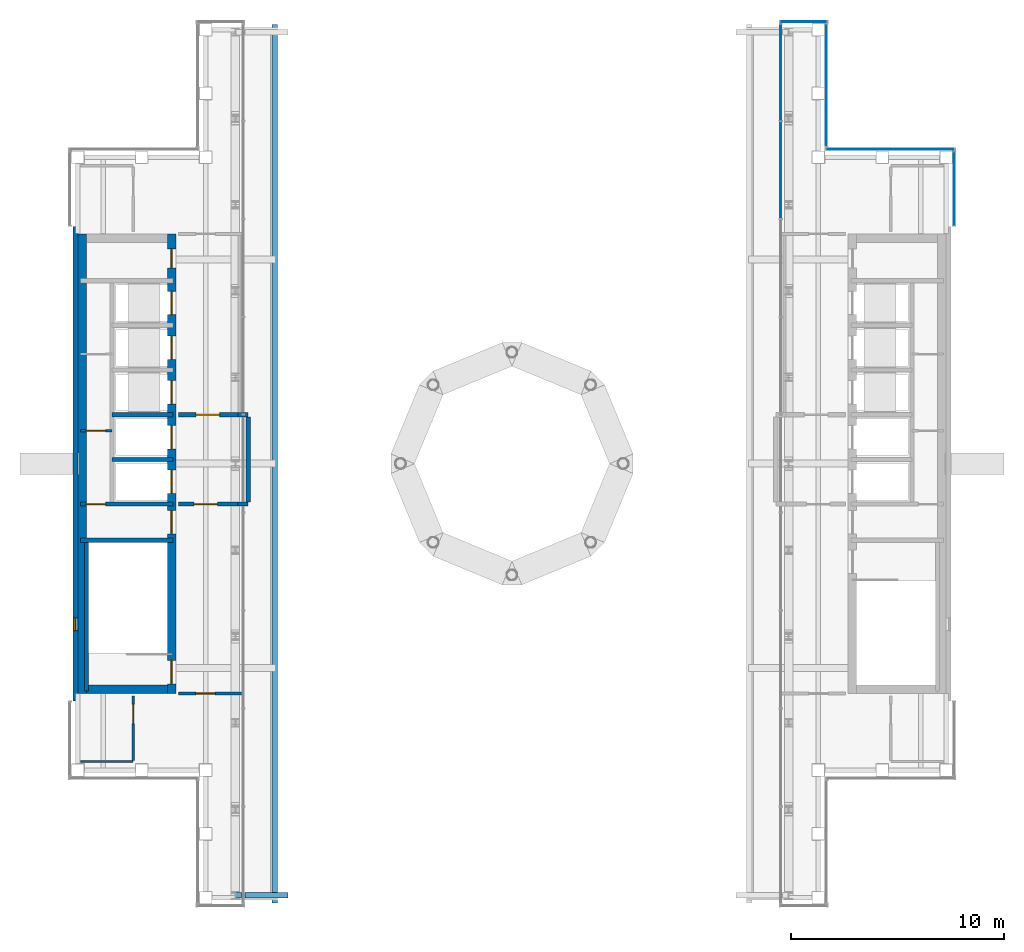
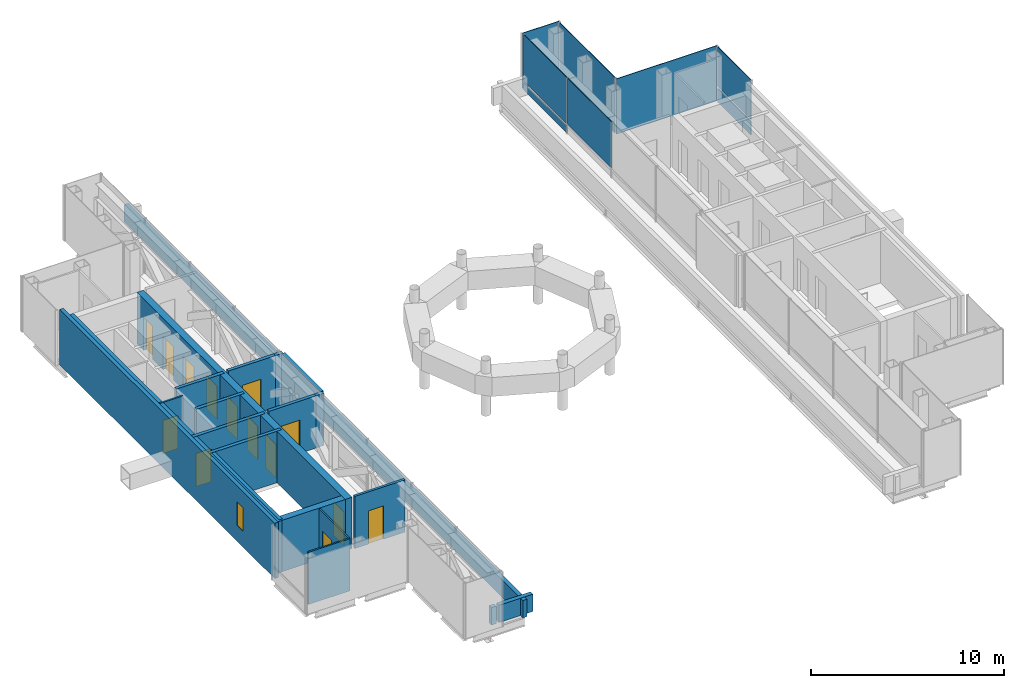
# One storey, part 12 of 16: 21 walls, 14 doors, 8 plates, 1 window, 15 openings, 5 elements without a shape of their own.
"""IFC4 building model written with IfcOpenShell, lengths in metres."""

from ifc_helpers import new_model, si_unit, direction, frame, frame_2d, origin, origin_2d, place, context, subcontext, project, spatial, rectangle, extrude, material, layer, layer_set, type_object, element, fill, aggregate, save


model = new_model("IFC4")

# Units and contexts
model_context = context("Model", 3, precision=1e-05, world=origin(), true_north=direction((0.0, 1.0)))
body_context = subcontext(model_context, "Body", "Model", "MODEL_VIEW")
ifc_project = project(units=[si_unit("LENGTHUNIT", "METRE"), si_unit("AREAUNIT", "SQUARE_METRE"), si_unit("VOLUMEUNIT", "CUBIC_METRE"), si_unit("PLANEANGLEUNIT", "RADIAN"), si_unit("MASSUNIT", "GRAM", prefix="KILO")], contexts=[model_context])

# Site, building, storey
site_placement = place(None, origin())
site = spatial("IfcSite", under=ifc_project, at=site_placement, CompositionType="ELEMENT")
building_placement = place(site_placement, origin())
building = spatial("IfcBuilding", under=site, at=building_placement, Name="Cobrizo Arcos Hotel Tower", CompositionType="ELEMENT")
storey_placement = place(building_placement, frame((0.0, 0.0, 286.5)))
storey = spatial("IfcBuildingStorey", under=building, at=storey_placement, Name="L76", CompositionType="ELEMENT", Elevation=286.5)

# Curtain wall, plate
ifc_material_1 = material(Name="Aluminium 6063-T6 anodised bronze", Category="aluminium")
curtain_wall_type_1 = type_object("IfcCurtainWallType", Name="CW-A guest facade", PredefinedType="NOTDEFINED", material=ifc_material_1)
curtain_wall_1_placement = place(storey_placement, origin())
curtain_wall_1 = element("IfcCurtainWall", 1, at=curtain_wall_1_placement, inside=storey, type_object=curtain_wall_type_1, Name="CW-A L76 E face", PredefinedType="NOTDEFINED")
ifc_material_2 = material(Name="Glass clear laminated low-e", Category="glass")
ifc_layer_1 = layer(ifc_material_2, 0.0400390625)
ifc_layer_set_1 = layer_set([ifc_layer_1], Name="CW-A glass panel")
plate_type_1 = type_object("IfcPlateType", Name="CW-A glass panel", PredefinedType="CURTAIN_PANEL", material=ifc_layer_set_1)
plate_1_placement = place(storey_placement, frame((20.77490234375, 12.925048828125, 0.990234375), z_axis=(0.0, 0.0, 1.0), x_axis=(0.0, 1.0, 0.0)))
plate_1 = element("IfcPlate", 2, at=plate_1_placement, type_object=plate_type_1, Name="CW-A glass panel 2406", PredefinedType="CURTAIN_PANEL", context=body_context, shape_type="SweptSolid", body=[
    extrude(rectangle(XDim=3.429931640625, YDim=0.0400390625, at=origin_2d()), origin(), (0.0, 0.0, 1.0), 2.510009765625),
])

curtain_wall_2_placement = place(storey_placement, origin())
curtain_wall_2 = element("IfcCurtainWall", 3, at=curtain_wall_2_placement, inside=storey, type_object=curtain_wall_type_1, Name="CW-A L76 N face", PredefinedType="NOTDEFINED")
ifc_material_3 = material(Name="Aluminium composite panel pale metal", Category="aluminium")
ifc_layer_2 = layer(ifc_material_3, 0.0400390625)
ifc_layer_set_2 = layer_set([ifc_layer_2], Name="CW-A spandrel panel")
plate_type_2 = type_object("IfcPlateType", Name="CW-A spandrel panel", PredefinedType="CURTAIN_PANEL", material=ifc_layer_set_2)
plate_2_placement = place(storey_placement, frame((13.699951171875, 20.77490234375, 0.0), z_axis=(0.0, 0.0, 1.0), x_axis=(-1.0, 0.0, 0.0)))
plate_2 = element("IfcPlate", 4, at=plate_2_placement, type_object=plate_type_2, Name="CW-A spandrel panel 2392", PredefinedType="CURTAIN_PANEL", context=body_context, shape_type="SweptSolid", body=[
    extrude(rectangle(XDim=2.179931640625, YDim=0.0400390625, at=origin_2d()), origin(), (0.0, 0.0, 1.0), 3.5),
])
aggregate(curtain_wall_2, [plate_2])

# Plate
plate_3_placement = place(storey_placement, frame((20.77490234375, 12.925048828125, 0.0), z_axis=(0.0, 0.0, 1.0), x_axis=(0.0, 1.0, 0.0)))
plate_3 = element("IfcPlate", 5, at=plate_3_placement, type_object=plate_type_2, Name="CW-A spandrel panel 2406", PredefinedType="CURTAIN_PANEL", context=body_context, shape_type="SweptSolid", body=[
    extrude(rectangle(XDim=3.429931640625, YDim=0.0400390625, at=origin_2d()), origin(), (0.0, 0.0, 1.0), 0.8701171875),
])

aggregate(curtain_wall_1, [plate_3, plate_1])

# Curtain wall, plate
curtain_wall_3_placement = place(storey_placement, origin())
curtain_wall_3 = element("IfcCurtainWall", 6, at=curtain_wall_3_placement, inside=storey, type_object=curtain_wall_type_1, Name="CW-A L76 N face", PredefinedType="NOTDEFINED")
plate_4_placement = place(storey_placement, frame((17.77490234375, 14.77490234375, 0.0), z_axis=(0.0, 0.0, 1.0), x_axis=(-1.0, 0.0, 0.0)))
plate_4 = element("IfcPlate", 7, at=plate_4_placement, type_object=plate_type_2, Name="CW-A spandrel panel 2407", PredefinedType="CURTAIN_PANEL", context=body_context, shape_type="SweptSolid", body=[
    extrude(rectangle(XDim=6.030029296875, YDim=0.0400390625, at=origin_2d()), origin(), (0.0, 0.0, 1.0), 3.5),
])
aggregate(curtain_wall_3, [plate_4])

curtain_wall_4_placement = place(storey_placement, origin())
curtain_wall_4 = element("IfcCurtainWall", 8, at=curtain_wall_4_placement, inside=storey, type_object=curtain_wall_type_1, Name="CW-A L76 E face", PredefinedType="NOTDEFINED")
plate_5_placement = place(storey_placement, frame((14.77490234375, 17.77490234375, 0.0), z_axis=(0.0, 0.0, 1.0), x_axis=(0.0, 1.0, 0.0)))
plate_5 = element("IfcPlate", 9, at=plate_5_placement, type_object=plate_type_2, Name="CW-A spandrel panel 2408", PredefinedType="CURTAIN_PANEL", context=body_context, shape_type="SweptSolid", body=[
    extrude(rectangle(XDim=5.72998046875, YDim=0.0400390625, at=origin_2d()), origin(), (0.0, 0.0, 1.0), 3.5),
])
aggregate(curtain_wall_4, [plate_5])

# Curtain wall, plates
curtain_wall_type_2 = type_object("IfcCurtainWallType", Name="CW-C arch infill and crown glazing", PredefinedType="NOTDEFINED", material=ifc_material_1)
curtain_wall_5_placement = place(storey_placement, origin())
curtain_wall_5 = element("IfcCurtainWall", 10, at=curtain_wall_5_placement, inside=storey, type_object=curtain_wall_type_2, Name="CW-C L76 W face", PredefinedType="NOTDEFINED")
ifc_layer_3 = layer(ifc_material_3, 0.0400390625)
ifc_layer_set_3 = layer_set([ifc_layer_3], Name="CW-C spandrel panel")
plate_type_3 = type_object("IfcPlateType", Name="CW-C spandrel panel", PredefinedType="CURTAIN_PANEL", material=ifc_layer_set_3)
plate_6_placement = place(storey_placement, frame((12.625, 18.382568359375, 0.0), z_axis=(0.0, 0.0, 1.0), x_axis=(0.0, -1.0, 0.0)))
plate_6 = element("IfcPlate", 11, at=plate_6_placement, type_object=plate_type_3, Name="CW-C spandrel panel 2393", PredefinedType="CURTAIN_PANEL", context=body_context, shape_type="SweptSolid", body=[
    extrude(rectangle(XDim=4.4951171875, YDim=0.0400390625, at=origin_2d()), origin(), (0.0, 0.0, 1.0), 0.429931640625),
])
plate_7_placement = place(storey_placement, frame((12.625, 18.382568359375, 0.56982421875), z_axis=(0.0, 0.0, 1.0), x_axis=(0.0, -1.0, 0.0)))
plate_7 = element("IfcPlate", 12, at=plate_7_placement, type_object=plate_type_3, Name="CW-C spandrel panel 2393", PredefinedType="CURTAIN_PANEL", context=body_context, shape_type="SweptSolid", body=[
    extrude(rectangle(XDim=4.4951171875, YDim=0.0400390625, at=origin_2d()), origin(), (0.0, 0.0, 1.0), 2.929931640625),
])
plate_8_placement = place(storey_placement, frame((12.625, 13.800048828125, 0.56982421875), z_axis=(0.0, 0.0, 1.0), x_axis=(0.0, -1.0, 0.0)))
plate_8 = element("IfcPlate", 13, at=plate_8_placement, type_object=plate_type_3, Name="CW-C spandrel panel 2394", PredefinedType="CURTAIN_PANEL", context=body_context, shape_type="SweptSolid", body=[
    extrude(rectangle(XDim=4.530029296875, YDim=0.0400390625, at=origin_2d()), origin(), (0.0, 0.0, 1.0), 2.929931640625),
])
aggregate(curtain_wall_5, [plate_6, plate_7, plate_8])

# Wall, opening, door
ifc_material_4 = material(Name="Gypsum board partition")
ifc_layer_4 = layer(ifc_material_4, 0.14990234375)
ifc_layer_set_4 = layer_set([ifc_layer_4], Name="Corridor wall EI 60 150")
wall_type_1 = type_object("IfcWallType", Name="Corridor wall EI 60 150", PredefinedType="PARTITIONING", material=ifc_layer_set_4)
wall_1_placement = place(storey_placement, frame((-15.679931640625, -10.800048828125, 0.0), z_axis=(0.0, 0.0, 1.0), x_axis=(1.0, 0.0, 0.0)))
wall_1 = element("IfcWall", 14, at=wall_1_placement, inside=storey, type_object=wall_type_1, Name="Partition 003", PredefinedType="PARTITIONING", context=body_context, shape_type="SweptSolid", body=[
    extrude(rectangle(XDim=3.010009765625, YDim=0.14990234375, at=frame_2d((1.5048828125, 0.0))), origin(), (0.0, 0.0, 1.0), 3.300048828125),
])
opening_1_placement = place(wall_1_placement, frame((0.830078125, 0.0, 0.0)))
opening_1 = element("IfcOpeningElement", 15, at=opening_1_placement, cuts=wall_1, Name="Opening RD-09", PredefinedType="OPENING", context=body_context, shape_type="SweptSolid", body=[
    extrude(rectangle(XDim=0.89990234375, YDim=2.10009765625, at=frame_2d((0.449951171875, 1.050048828125))), frame((0.0, 0.0869140625, 0.0), z_axis=(0.0, -1.0, 0.0), x_axis=(1.0, 0.0, 0.0)), (0.0, 0.0, 1.0), 0.173828125),
])
ifc_material_5 = material(Name="Timber door leaf", Category="wood")
door_type_1 = type_object("IfcDoorType", Name="Room door FD30 900x2100", OperationType="SINGLE_SWING_LEFT", PredefinedType="DOOR", material=ifc_material_5)
door_1_placement = place(opening_1_placement, origin())
door_1 = element("IfcDoor", 16, at=door_1_placement, inside=storey, type_object=door_type_1, Name="Door RD-09", OperationType="SINGLE_SWING_LEFT", OverallHeight=2.10009765625, OverallWidth=0.89990234375, PredefinedType="DOOR", context=body_context, shape_type="SweptSolid", body=[
    extrude(rectangle(XDim=0.89990234375, YDim=2.10009765625, at=frame_2d((0.449951171875, 1.050048828125))), frame((0.0, 0.02490234375, 0.0), z_axis=(0.0, -1.0, 0.0), x_axis=(1.0, 0.0, 0.0)), (0.0, 0.0, 1.0), 0.050048828125),
])
fill(opening_1, door_1)

# Wall, opening, window
ifc_layer_5 = layer(ifc_material_3, 0.22509765625)
ifc_layer_set_5 = layer_set([ifc_layer_5], Name="EW-1 insulated panel wall 225")
wall_type_2 = type_object("IfcWallType", Name="EW-1 insulated panel wall 225", PredefinedType="SOLIDWALL", material=ifc_layer_set_5)
wall_2_placement = place(storey_placement, frame((-20.512451171875, 11.14990234375, 0.0), z_axis=(0.0, 0.0, 1.0), x_axis=(0.0, -1.0, 0.0)))
wall_2 = element("IfcWall", 17, at=wall_2_placement, inside=storey, type_object=wall_type_2, Name="Core face wall L76 W", PredefinedType="SOLIDWALL", context=body_context, shape_type="SweptSolid", body=[
    extrude(rectangle(XDim=22.2998046875, YDim=0.22509765625, at=frame_2d((11.14990234375, 0.0))), origin(), (0.0, 0.0, 1.0), 3.5),
])
opening_2_placement = place(wall_2_placement, frame((18.39990234375, 0.0, 1.0)))
opening_2 = element("IfcOpeningElement", 18, at=opening_2_placement, cuts=wall_2, Name="Opening W-172", PredefinedType="OPENING", context=body_context, shape_type="SweptSolid", body=[
    extrude(rectangle(XDim=0.60009765625, YDim=1.5, at=frame_2d((0.300048828125, 0.75))), frame((0.0, 0.12451171875, 0.0), z_axis=(0.0, -1.0, 0.0), x_axis=(1.0, 0.0, 0.0)), (0.0, 0.0, 1.0), 0.2490234375),
])
ifc_material_6 = material(Name="Aluminium 6063-T6 and clear laminated glass", Category="aluminium")
window_type = type_object("IfcWindowType", Name="W-C1 core stair slot window 600x1500", PartitioningType="SINGLE_PANEL", PredefinedType="WINDOW", material=ifc_material_6)
window_placement = place(opening_2_placement, origin())
window = element("IfcWindow", 19, at=window_placement, inside=storey, type_object=window_type, Name="Core face wall L76 W window W-172", OverallHeight=1.5, OverallWidth=0.60009765625, PartitioningType="SINGLE_PANEL", PredefinedType="WINDOW", context=body_context, shape_type="SweptSolid", body=[
    extrude(rectangle(XDim=0.60009765625, YDim=1.5, at=frame_2d((0.300048828125, 0.75))), frame((0.0, -0.0224609375, 0.0), z_axis=(0.0, -1.0, 0.0), x_axis=(1.0, 0.0, 0.0)), (0.0, 0.0, 1.0), 0.06005859375),
])
fill(opening_2, window)

# Walls
ifc_layer_6 = layer(ifc_material_3, 0.25)
ifc_layer_set_6 = layer_set([ifc_layer_6], Name="PW-1 parapet wall")
wall_type_3 = type_object("IfcWallType", Name="PW-1 parapet wall", PredefinedType="PARAPET", material=ifc_layer_set_6)
wall_3_placement = place(storey_placement, frame((-13.0, -20.27490234375, 0.0), z_axis=(0.0, 0.0, 1.0), x_axis=(1.0, 0.0, 0.0)))
element("IfcWall", 20, at=wall_3_placement, inside=storey, type_object=wall_type_3, Name="Parapet L75 S", PredefinedType="PARAPET", context=body_context, shape_type="SweptSolid", body=[
    extrude(rectangle(XDim=0.300048828125, YDim=0.25, at=frame_2d((0.14990234375, 0.0))), origin(), (0.0, 0.0, 1.0), 1.10009765625),
])
wall_4_placement = place(storey_placement, frame((-12.550048828125, -20.27490234375, 0.0), z_axis=(0.0, 0.0, 1.0), x_axis=(1.0, 0.0, 0.0)))
element("IfcWall", 21, at=wall_4_placement, inside=storey, type_object=wall_type_3, Name="Parapet L75 S", PredefinedType="PARAPET", context=body_context, shape_type="SweptSolid", body=[
    extrude(rectangle(XDim=2.024169921875, YDim=0.25, at=frame_2d((1.01220703125, 0.0))), origin(), (0.0, 0.0, 1.0), 1.10009765625),
])
wall_5_placement = place(storey_placement, frame((-11.15087890625, -20.64990234375, 0.0), z_axis=(0.0, 0.0, 1.0), x_axis=(0.0, 1.0, 0.0)))
element("IfcWall", 22, at=wall_5_placement, inside=storey, type_object=wall_type_3, Name="Parapet L75 E", PredefinedType="PARAPET", context=body_context, shape_type="SweptSolid", body=[
    extrude(rectangle(XDim=41.2998046875, YDim=0.25, at=frame_2d((20.64990234375, 0.0))), origin(), (0.0, 0.0, 1.0), 1.10009765625),
])
ifc_layer_7 = layer(ifc_material_4, 0.10009765625)
ifc_layer_set_7 = layer_set([ifc_layer_7], Name="Partition EI 30 100")
wall_type_4 = type_object("IfcWallType", Name="Partition EI 30 100", PredefinedType="PARTITIONING", material=ifc_layer_set_7)
wall_6_placement = place(storey_placement, frame((-20.280029296875, -14.0, 0.0), z_axis=(0.0, 0.0, 1.0), x_axis=(1.0, 0.0, 0.0)))
element("IfcWall", 23, at=wall_6_placement, inside=storey, type_object=wall_type_4, Name="Partition 001", PredefinedType="PARTITIONING", context=body_context, shape_type="SweptSolid", body=[
    extrude(rectangle(XDim=2.47998046875, YDim=0.10009765625, at=frame_2d((1.239990234375, 0.0))), origin(), (0.0, 0.0, 1.0), 3.300048828125),
])

# Wall, opening, door
wall_7_placement = place(storey_placement, frame((-20.280029296875, 1.550048828125, 0.0), z_axis=(0.0, 0.0, 1.0), x_axis=(1.0, 0.0, 0.0)))
wall_7 = element("IfcWall", 24, at=wall_7_placement, inside=storey, type_object=wall_type_4, Name="Partition 015", PredefinedType="PARTITIONING", context=body_context, shape_type="SweptSolid", body=[
    extrude(rectangle(XDim=1.47998046875, YDim=0.10009765625, at=frame_2d((0.739990234375, 0.0))), origin(), (0.0, 0.0, 1.0), 3.25),
])
opening_3_placement = place(wall_7_placement, frame((0.280029296875, 0.0, 0.0)))
opening_3 = element("IfcOpeningElement", 25, at=opening_3_placement, cuts=wall_7, Name="Opening RD-02", PredefinedType="OPENING", context=body_context, shape_type="SweptSolid", body=[
    extrude(rectangle(XDim=0.89990234375, YDim=2.10009765625, at=frame_2d((0.449951171875, 1.050048828125))), frame((0.0, 0.06201171875, 0.0), z_axis=(0.0, -1.0, 0.0), x_axis=(1.0, 0.0, 0.0)), (0.0, 0.0, 1.0), 0.1240234375),
])
door_2_placement = place(opening_3_placement, origin())
door_2 = element("IfcDoor", 26, at=door_2_placement, inside=storey, type_object=door_type_1, Name="Door RD-02", OperationType="SINGLE_SWING_LEFT", OverallHeight=2.10009765625, OverallWidth=0.89990234375, PredefinedType="DOOR", context=body_context, shape_type="SweptSolid", body=[
    extrude(rectangle(XDim=0.89990234375, YDim=2.10009765625, at=frame_2d((0.449951171875, 1.050048828125))), frame((0.0, 0.02490234375, 0.0), z_axis=(0.0, -1.0, 0.0), x_axis=(1.0, 0.0, 0.0)), (0.0, 0.0, 1.0), 0.050048828125),
])
fill(opening_3, door_2)

wall_8_placement = place(storey_placement, frame((-17.800048828125, -13.949951171875, 0.0), z_axis=(0.0, 0.0, 1.0), x_axis=(0.0, 1.0, 0.0)))
wall_8 = element("IfcWall", 27, at=wall_8_placement, inside=storey, type_object=wall_type_4, Name="Partition 037", PredefinedType="PARTITIONING", context=body_context, shape_type="SweptSolid", body=[
    extrude(rectangle(XDim=3.030029296875, YDim=0.10009765625, at=frame_2d((1.51513671875, 0.0))), origin(), (0.0, 0.0, 1.0), 3.300048828125),
])
opening_4_placement = place(wall_8_placement, frame((1.739990234375, 0.0, 0.0)))
opening_4 = element("IfcOpeningElement", 28, at=opening_4_placement, cuts=wall_8, Name="Opening ED-05", PredefinedType="OPENING", context=body_context, shape_type="SweptSolid", body=[
    extrude(rectangle(XDim=0.89990234375, YDim=2.10009765625, at=frame_2d((0.449951171875, 1.050048828125))), frame((0.0, 0.06201171875, 0.0), z_axis=(0.0, -1.0, 0.0), x_axis=(1.0, 0.0, 0.0)), (0.0, 0.0, 1.0), 0.1240234375),
])
door_type_2 = type_object("IfcDoorType", Name="En-suite door 900x2100", OperationType="SINGLE_SWING_LEFT", PredefinedType="DOOR", material=ifc_material_5)
door_3_placement = place(opening_4_placement, origin())
door_3 = element("IfcDoor", 29, at=door_3_placement, inside=storey, type_object=door_type_2, Name="Door ED-05", OperationType="SINGLE_SWING_RIGHT", OverallHeight=2.10009765625, OverallWidth=0.89990234375, PredefinedType="DOOR", context=body_context, shape_type="SweptSolid", body=[
    extrude(rectangle(XDim=0.89990234375, YDim=2.10009765625, at=frame_2d((0.449951171875, 1.050048828125))), frame((0.0, 0.02490234375, 0.0), z_axis=(0.0, -1.0, 0.0), x_axis=(1.0, 0.0, 0.0)), (0.0, 0.0, 1.0), 0.050048828125),
])
fill(opening_4, door_3)

# Wall, openings, doors
ifc_material_7 = material(Name="Concrete f'c 40 MPa", Category="concrete")
ifc_layer_8 = layer(ifc_material_7, 0.39990234375)
ifc_layer_set_8 = layer_set([ifc_layer_8], Name="RC core wall 400 f'c 40")
wall_type_5 = type_object("IfcWallType", Name="RC core wall 400 f'c 40", PredefinedType="SHEAR", material=ifc_layer_set_8)
wall_9_placement = place(storey_placement, frame((-16.0, -10.800048828125, 0.0), z_axis=(0.0, 0.0, 1.0), x_axis=(0.0, 1.0, 0.0)))
wall_9 = element("IfcWall", 30, at=wall_9_placement, inside=storey, type_object=wall_type_5, Name="Core wall CW4, west core, inner face, L76", PredefinedType="SHEAR", context=body_context, shape_type="SweptSolid", body=[
    extrude(rectangle(XDim=21.60009765625, YDim=0.39990234375, at=frame_2d((10.800048828125, 0.0))), origin(), (0.0, 0.0, 1.0), 3.25),
])
opening_5_placement = place(wall_9_placement, frame((9.39990234375, 0.0, 0.0)))
opening_5 = element("IfcOpeningElement", 31, at=opening_5_placement, cuts=wall_9, Name="Opening LD-01", PredefinedType="OPENING", context=body_context, shape_type="SweptSolid", body=[
    extrude(rectangle(XDim=1.10009765625, YDim=2.10009765625, at=frame_2d((0.550048828125, 1.050048828125))), frame((0.0, 0.2119140625, 0.0), z_axis=(0.0, -1.0, 0.0), x_axis=(1.0, 0.0, 0.0)), (0.0, 0.0, 1.0), 0.423828125),
])
opening_6_placement = place(wall_9_placement, frame((11.5, 0.0, 0.0)))
opening_6 = element("IfcOpeningElement", 32, at=opening_6_placement, cuts=wall_9, Name="Opening LD-02", PredefinedType="OPENING", context=body_context, shape_type="SweptSolid", body=[
    extrude(rectangle(XDim=1.10009765625, YDim=2.10009765625, at=frame_2d((0.550048828125, 1.050048828125))), frame((0.0, 0.2119140625, 0.0), z_axis=(0.0, -1.0, 0.0), x_axis=(1.0, 0.0, 0.0)), (0.0, 0.0, 1.0), 0.423828125),
])
opening_7_placement = place(wall_9_placement, frame((13.60009765625, 0.0, 0.0)))
opening_7 = element("IfcOpeningElement", 33, at=opening_7_placement, cuts=wall_9, Name="Opening LD-03", PredefinedType="OPENING", context=body_context, shape_type="SweptSolid", body=[
    extrude(rectangle(XDim=1.10009765625, YDim=2.10009765625, at=frame_2d((0.550048828125, 1.050048828125))), frame((0.0, 0.2119140625, 0.0), z_axis=(0.0, -1.0, 0.0), x_axis=(1.0, 0.0, 0.0)), (0.0, 0.0, 1.0), 0.423828125),
])
opening_8_placement = place(wall_9_placement, frame((15.699951171875, 0.0, 0.0)))
opening_8 = element("IfcOpeningElement", 34, at=opening_8_placement, cuts=wall_9, Name="Opening LD-04", PredefinedType="OPENING", context=body_context, shape_type="SweptSolid", body=[
    extrude(rectangle(XDim=1.10009765625, YDim=2.10009765625, at=frame_2d((0.550048828125, 1.050048828125))), frame((0.0, 0.2119140625, 0.0), z_axis=(0.0, -1.0, 0.0), x_axis=(1.0, 0.0, 0.0)), (0.0, 0.0, 1.0), 0.423828125),
])
opening_9_placement = place(wall_9_placement, frame((17.800048828125, 0.0, 0.0)))
opening_9 = element("IfcOpeningElement", 35, at=opening_9_placement, cuts=wall_9, Name="Opening LD-05", PredefinedType="OPENING", context=body_context, shape_type="SweptSolid", body=[
    extrude(rectangle(XDim=1.10009765625, YDim=2.10009765625, at=frame_2d((0.550048828125, 1.050048828125))), frame((0.0, 0.2119140625, 0.0), z_axis=(0.0, -1.0, 0.0), x_axis=(1.0, 0.0, 0.0)), (0.0, 0.0, 1.0), 0.423828125),
])
opening_10_placement = place(wall_9_placement, frame((0.4580078125, 0.0, 0.0)))
opening_10 = element("IfcOpeningElement", 36, at=opening_10_placement, cuts=wall_9, Name="Opening SD-01", PredefinedType="OPENING", context=body_context, shape_type="SweptSolid", body=[
    extrude(rectangle(XDim=1.10009765625, YDim=2.10009765625, at=frame_2d((0.550048828125, 1.050048828125))), frame((0.0, 0.2119140625, 0.0), z_axis=(0.0, -1.0, 0.0), x_axis=(1.0, 0.0, 0.0)), (0.0, 0.0, 1.0), 0.423828125),
])
opening_11_placement = place(wall_9_placement, frame((7.5, 0.0, 0.0)))
opening_11 = element("IfcOpeningElement", 37, at=opening_11_placement, cuts=wall_9, Name="Opening FD-01", PredefinedType="OPENING", context=body_context, shape_type="SweptSolid", body=[
    extrude(rectangle(XDim=1.10009765625, YDim=2.10009765625, at=frame_2d((0.550048828125, 1.050048828125))), frame((0.0, 0.2119140625, 0.0), z_axis=(0.0, -1.0, 0.0), x_axis=(1.0, 0.0, 0.0)), (0.0, 0.0, 1.0), 0.423828125),
])
opening_12_placement = place(wall_9_placement, frame((20.0, 0.0, 0.0)))
opening_12 = element("IfcOpeningElement", 38, at=opening_12_placement, cuts=wall_9, Name="Opening ED-01", PredefinedType="OPENING", context=body_context, shape_type="SweptSolid", body=[
    extrude(rectangle(XDim=0.89990234375, YDim=2.10009765625, at=frame_2d((0.449951171875, 1.050048828125))), frame((0.0, 0.2119140625, 0.0), z_axis=(0.0, -1.0, 0.0), x_axis=(1.0, 0.0, 0.0)), (0.0, 0.0, 1.0), 0.423828125),
])
door_4_placement = place(opening_12_placement, origin())
door_4 = element("IfcDoor", 39, at=door_4_placement, inside=storey, type_object=door_type_2, Name="Door ED-01", OperationType="SINGLE_SWING_RIGHT", OverallHeight=2.10009765625, OverallWidth=0.89990234375, PredefinedType="DOOR", context=body_context, shape_type="SweptSolid", body=[
    extrude(rectangle(XDim=0.89990234375, YDim=2.10009765625, at=frame_2d((0.449951171875, 1.050048828125))), frame((0.0, 0.02490234375, 0.0), z_axis=(0.0, -1.0, 0.0), x_axis=(1.0, 0.0, 0.0)), (0.0, 0.0, 1.0), 0.050048828125),
])
fill(opening_12, door_4)
ifc_material_8 = material(Name="Steel door leaf", Category="steel")
door_type_3 = type_object("IfcDoorType", Name="Fire door FD60 1100x2100", OperationType="SINGLE_SWING_LEFT", PredefinedType="DOOR", material=ifc_material_8)
door_5_placement = place(opening_11_placement, origin())
door_5 = element("IfcDoor", 40, at=door_5_placement, inside=storey, type_object=door_type_3, Name="Door FD-01", OperationType="SINGLE_SWING_RIGHT", OverallHeight=2.10009765625, OverallWidth=1.10009765625, PredefinedType="DOOR", context=body_context, shape_type="SweptSolid", body=[
    extrude(rectangle(XDim=1.10009765625, YDim=2.10009765625, at=frame_2d((0.550048828125, 1.050048828125))), frame((0.0, 0.02490234375, 0.0), z_axis=(0.0, -1.0, 0.0), x_axis=(1.0, 0.0, 0.0)), (0.0, 0.0, 1.0), 0.050048828125),
])
fill(opening_11, door_5)
door_type_4 = type_object("IfcDoorType", Name="Lift landing door 1100x2100", OperationType="SLIDING_TO_LEFT", PredefinedType="DOOR", material=ifc_material_8)
door_6_placement = place(opening_5_placement, origin())
door_6 = element("IfcDoor", 41, at=door_6_placement, inside=storey, type_object=door_type_4, Name="Lift landing door LD-01", OperationType="SLIDING_TO_LEFT", OverallHeight=2.10009765625, OverallWidth=1.10009765625, PredefinedType="DOOR", context=body_context, shape_type="SweptSolid", body=[
    extrude(rectangle(XDim=1.10009765625, YDim=2.10009765625, at=frame_2d((0.550048828125, 1.050048828125))), frame((0.0, 0.02490234375, 0.0), z_axis=(0.0, -1.0, 0.0), x_axis=(1.0, 0.0, 0.0)), (0.0, 0.0, 1.0), 0.050048828125),
])
fill(opening_5, door_6)
door_7_placement = place(opening_6_placement, origin())
door_7 = element("IfcDoor", 42, at=door_7_placement, inside=storey, type_object=door_type_4, Name="Lift landing door LD-02", OperationType="SLIDING_TO_LEFT", OverallHeight=2.10009765625, OverallWidth=1.10009765625, PredefinedType="DOOR", context=body_context, shape_type="SweptSolid", body=[
    extrude(rectangle(XDim=1.10009765625, YDim=2.10009765625, at=frame_2d((0.550048828125, 1.050048828125))), frame((0.0, 0.02490234375, 0.0), z_axis=(0.0, -1.0, 0.0), x_axis=(1.0, 0.0, 0.0)), (0.0, 0.0, 1.0), 0.050048828125),
])
fill(opening_6, door_7)
door_8_placement = place(opening_7_placement, origin())
door_8 = element("IfcDoor", 43, at=door_8_placement, inside=storey, type_object=door_type_4, Name="Lift landing door LD-03", OperationType="SLIDING_TO_LEFT", OverallHeight=2.10009765625, OverallWidth=1.10009765625, PredefinedType="DOOR", context=body_context, shape_type="SweptSolid", body=[
    extrude(rectangle(XDim=1.10009765625, YDim=2.10009765625, at=frame_2d((0.550048828125, 1.050048828125))), frame((0.0, 0.02490234375, 0.0), z_axis=(0.0, -1.0, 0.0), x_axis=(1.0, 0.0, 0.0)), (0.0, 0.0, 1.0), 0.050048828125),
])
fill(opening_7, door_8)
door_9_placement = place(opening_8_placement, origin())
door_9 = element("IfcDoor", 44, at=door_9_placement, inside=storey, type_object=door_type_4, Name="Lift landing door LD-04", OperationType="SLIDING_TO_LEFT", OverallHeight=2.10009765625, OverallWidth=1.10009765625, PredefinedType="DOOR", context=body_context, shape_type="SweptSolid", body=[
    extrude(rectangle(XDim=1.10009765625, YDim=2.10009765625, at=frame_2d((0.550048828125, 1.050048828125))), frame((0.0, 0.02490234375, 0.0), z_axis=(0.0, -1.0, 0.0), x_axis=(1.0, 0.0, 0.0)), (0.0, 0.0, 1.0), 0.050048828125),
])
fill(opening_8, door_9)
door_10_placement = place(opening_9_placement, origin())
door_10 = element("IfcDoor", 45, at=door_10_placement, inside=storey, type_object=door_type_4, Name="Lift landing door LD-05", OperationType="SLIDING_TO_LEFT", OverallHeight=2.10009765625, OverallWidth=1.10009765625, PredefinedType="DOOR", context=body_context, shape_type="SweptSolid", body=[
    extrude(rectangle(XDim=1.10009765625, YDim=2.10009765625, at=frame_2d((0.550048828125, 1.050048828125))), frame((0.0, 0.02490234375, 0.0), z_axis=(0.0, -1.0, 0.0), x_axis=(1.0, 0.0, 0.0)), (0.0, 0.0, 1.0), 0.050048828125),
])
fill(opening_9, door_10)
door_type_5 = type_object("IfcDoorType", Name="Stair door FD60S 1100x2100", OperationType="SINGLE_SWING_LEFT", PredefinedType="DOOR", material=ifc_material_8)
door_11_placement = place(opening_10_placement, origin())
door_11 = element("IfcDoor", 46, at=door_11_placement, inside=storey, type_object=door_type_5, Name="Door SD-01", OperationType="SINGLE_SWING_LEFT", OverallHeight=2.10009765625, OverallWidth=1.10009765625, PredefinedType="DOOR", context=body_context, shape_type="SweptSolid", body=[
    extrude(rectangle(XDim=1.10009765625, YDim=2.10009765625, at=frame_2d((0.550048828125, 1.050048828125))), frame((0.0, 0.02490234375, 0.0), z_axis=(0.0, -1.0, 0.0), x_axis=(1.0, 0.0, 0.0)), (0.0, 0.0, 1.0), 0.050048828125),
])
fill(opening_10, door_11)

# Walls
wall_10_placement = place(storey_placement, frame((-20.199951171875, -10.800048828125, 0.0), z_axis=(0.0, 0.0, 1.0), x_axis=(0.0, 1.0, 0.0)))
element("IfcWall", 47, at=wall_10_placement, inside=storey, type_object=wall_type_5, Name="Core wall CW4, west core, outer face, L76", PredefinedType="SHEAR", context=body_context, shape_type="SweptSolid", body=[
    extrude(rectangle(XDim=21.60009765625, YDim=0.39990234375, at=frame_2d((10.800048828125, 0.0))), origin(), (0.0, 0.0, 1.0), 3.25),
])
wall_11_placement = place(storey_placement, frame((-20.0, -10.60009765625, 0.0), z_axis=(0.0, 0.0, 1.0), x_axis=(1.0, 0.0, 0.0)))
element("IfcWall", 48, at=wall_11_placement, inside=storey, type_object=wall_type_5, Name="Core wall CW4, west core, south end, L76", PredefinedType="SHEAR", context=body_context, shape_type="SweptSolid", body=[
    extrude(rectangle(XDim=3.800048828125, YDim=0.39990234375, at=frame_2d((1.89990234375, 0.0))), origin(), (0.0, 0.0, 1.0), 3.25),
])

# Wall, opening, door
ifc_layer_9 = layer(ifc_material_4, 0.199951171875)
ifc_layer_set_9 = layer_set([ifc_layer_9], Name="Shaft wall EI 120 200")
wall_type_6 = type_object("IfcWallType", Name="Shaft wall EI 120 200", PredefinedType="PARTITIONING", material=ifc_layer_set_9)
wall_12_placement = place(storey_placement, frame((-20.280029296875, -1.89990234375, 0.0), z_axis=(0.0, 0.0, 1.0), x_axis=(1.0, 0.0, 0.0)))
wall_12 = element("IfcWall", 49, at=wall_12_placement, inside=storey, type_object=wall_type_6, Name="Partition 007", PredefinedType="PARTITIONING", context=body_context, shape_type="SweptSolid", body=[
    extrude(rectangle(XDim=4.360107421875, YDim=0.199951171875, at=frame_2d((2.18017578125, 0.0))), origin(), (0.0, 0.0, 1.0), 3.25),
])
opening_13_placement = place(wall_12_placement, frame((0.280029296875, 0.0, 0.0)))
opening_13 = element("IfcOpeningElement", 50, at=opening_13_placement, cuts=wall_12, Name="Opening RD-01", PredefinedType="OPENING", context=body_context, shape_type="SweptSolid", body=[
    extrude(rectangle(XDim=0.89990234375, YDim=2.10009765625, at=frame_2d((0.449951171875, 1.050048828125))), frame((0.0, 0.112060546875, 0.0), z_axis=(0.0, -1.0, 0.0), x_axis=(1.0, 0.0, 0.0)), (0.0, 0.0, 1.0), 0.223876953125),
])
door_12_placement = place(opening_13_placement, origin())
door_12 = element("IfcDoor", 51, at=door_12_placement, inside=storey, type_object=door_type_1, Name="Door RD-01", OperationType="SINGLE_SWING_RIGHT", OverallHeight=2.10009765625, OverallWidth=0.89990234375, PredefinedType="DOOR", context=body_context, shape_type="SweptSolid", body=[
    extrude(rectangle(XDim=0.89990234375, YDim=2.10009765625, at=frame_2d((0.449951171875, 1.050048828125))), frame((0.0, 0.02490234375, 0.0), z_axis=(0.0, -1.0, 0.0), x_axis=(1.0, 0.0, 0.0)), (0.0, 0.0, 1.0), 0.050048828125),
])
fill(opening_13, door_12)

wall_13_placement = place(storey_placement, frame((-15.679931640625, -1.89990234375, 0.0), z_axis=(0.0, 0.0, 1.0), x_axis=(1.0, 0.0, 0.0)))
wall_13 = element("IfcWall", 52, at=wall_13_placement, inside=storey, type_object=wall_type_6, Name="Partition 008", PredefinedType="PARTITIONING", context=body_context, shape_type="SweptSolid", body=[
    extrude(rectangle(XDim=2.800048828125, YDim=0.199951171875, at=frame_2d((1.39990234375, 0.0))), origin(), (0.0, 0.0, 1.0), 3.300048828125),
])
opening_14_placement = place(wall_13_placement, frame((0.739990234375, 0.0, 0.0)))
opening_14 = element("IfcOpeningElement", 53, at=opening_14_placement, cuts=wall_13, Name="Opening FD-03", PredefinedType="OPENING", context=body_context, shape_type="SweptSolid", body=[
    extrude(rectangle(XDim=1.10009765625, YDim=2.10009765625, at=frame_2d((0.550048828125, 1.050048828125))), frame((0.0, 0.112060546875, 0.0), z_axis=(0.0, -1.0, 0.0), x_axis=(1.0, 0.0, 0.0)), (0.0, 0.0, 1.0), 0.223876953125),
])
door_13_placement = place(opening_14_placement, origin())
door_13 = element("IfcDoor", 54, at=door_13_placement, inside=storey, type_object=door_type_3, Name="Door FD-03", OperationType="SINGLE_SWING_RIGHT", OverallHeight=2.10009765625, OverallWidth=1.10009765625, PredefinedType="DOOR", context=body_context, shape_type="SweptSolid", body=[
    extrude(rectangle(XDim=1.10009765625, YDim=2.10009765625, at=frame_2d((0.550048828125, 1.050048828125))), frame((0.0, 0.02490234375, 0.0), z_axis=(0.0, -1.0, 0.0), x_axis=(1.0, 0.0, 0.0)), (0.0, 0.0, 1.0), 0.050048828125),
])
fill(opening_14, door_13)

# Walls
wall_14_placement = place(storey_placement, frame((-12.8798828125, -1.89990234375, 0.0), z_axis=(0.0, 0.0, 1.0), x_axis=(1.0, 0.0, 0.0)))
element("IfcWall", 55, at=wall_14_placement, inside=storey, type_object=wall_type_6, Name="Partition 009", PredefinedType="PARTITIONING", context=body_context, shape_type="SweptSolid", body=[
    extrude(rectangle(XDim=0.47998046875, YDim=0.199951171875, at=frame_2d((0.239990234375, 0.0))), origin(), (0.0, 0.0, 1.0), 3.300048828125),
])
for number, where, z_axis, x_axis, name in (
    (56, (-18.800048828125, 0.199951171875, 0.0), (0.0, 0.0, 1.0), (1.0, 0.0, 0.0), "Partition 013"),
    (57, (-18.800048828125, 2.300048828125, 0.0), (0.0, 0.0, 1.0), (1.0, 0.0, 0.0), "Partition 017"),
):
    element("IfcWall", number, at=place(storey_placement, frame(where, z_axis=z_axis, x_axis=x_axis)), inside=storey, type_object=wall_type_6, Name=name, PredefinedType="PARTITIONING", context=body_context, shape_type="SweptSolid", body=[
        extrude(rectangle(XDim=2.880126953125, YDim=0.199951171875, at=frame_2d((1.43994140625, 0.0))), origin(), (0.0, 0.0, 1.0), 3.25),
    ])

# Wall, opening, door
wall_15_placement = place(storey_placement, frame((-15.679931640625, 2.300048828125, 0.0), z_axis=(0.0, 0.0, 1.0), x_axis=(1.0, 0.0, 0.0)))
wall_15 = element("IfcWall", 58, at=wall_15_placement, inside=storey, type_object=wall_type_6, Name="Partition 018", PredefinedType="PARTITIONING", context=body_context, shape_type="SweptSolid", body=[
    extrude(rectangle(XDim=2.800048828125, YDim=0.199951171875, at=frame_2d((1.39990234375, 0.0))), origin(), (0.0, 0.0, 1.0), 3.300048828125),
])
opening_15_placement = place(wall_15_placement, frame((0.840087890625, 0.0, 0.0)))
opening_15 = element("IfcOpeningElement", 59, at=opening_15_placement, cuts=wall_15, Name="Opening FD-02", PredefinedType="OPENING", context=body_context, shape_type="SweptSolid", body=[
    extrude(rectangle(XDim=1.10009765625, YDim=2.10009765625, at=frame_2d((0.550048828125, 1.050048828125))), frame((0.0, 0.112060546875, 0.0), z_axis=(0.0, -1.0, 0.0), x_axis=(1.0, 0.0, 0.0)), (0.0, 0.0, 1.0), 0.223876953125),
])
door_14_placement = place(opening_15_placement, origin())
door_14 = element("IfcDoor", 60, at=door_14_placement, inside=storey, type_object=door_type_3, Name="Door FD-02", OperationType="SINGLE_SWING_LEFT", OverallHeight=2.10009765625, OverallWidth=1.10009765625, PredefinedType="DOOR", context=body_context, shape_type="SweptSolid", body=[
    extrude(rectangle(XDim=1.10009765625, YDim=2.10009765625, at=frame_2d((0.550048828125, 1.050048828125))), frame((0.0, 0.02490234375, 0.0), z_axis=(0.0, -1.0, 0.0), x_axis=(1.0, 0.0, 0.0)), (0.0, 0.0, 1.0), 0.050048828125),
])
fill(opening_15, door_14)

# Walls
wall_16_placement = place(storey_placement, frame((-12.8798828125, 2.300048828125, 0.0), z_axis=(0.0, 0.0, 1.0), x_axis=(1.0, 0.0, 0.0)))
element("IfcWall", 61, at=wall_16_placement, inside=storey, type_object=wall_type_6, Name="Partition 019", PredefinedType="PARTITIONING", context=body_context, shape_type="SweptSolid", body=[
    extrude(rectangle(XDim=0.47998046875, YDim=0.199951171875, at=frame_2d((0.239990234375, 0.0))), origin(), (0.0, 0.0, 1.0), 3.300048828125),
])
wall_17_placement = place(storey_placement, frame((-12.39990234375, -1.800048828125, 0.0), z_axis=(0.0, 0.0, 1.0), x_axis=(0.0, 1.0, 0.0)))
element("IfcWall", 62, at=wall_17_placement, inside=storey, type_object=wall_type_6, Name="Partition 040", PredefinedType="PARTITIONING", context=body_context, shape_type="SweptSolid", body=[
    extrude(rectangle(XDim=4.0, YDim=0.199951171875, at=frame_2d((2.0, 0.0))), origin(), (0.0, 0.0, 1.0), 3.300048828125),
])
ifc_layer_10 = layer(ifc_material_7, 0.199951171875)
ifc_layer_set_10 = layer_set([ifc_layer_10], Name="Stair shaft wall 200")
wall_type_7 = type_object("IfcWallType", Name="Stair shaft wall 200", PredefinedType="SHEAR", material=ifc_layer_set_10)
wall_18_placement = place(storey_placement, frame((-20.280029296875, -3.60009765625, 0.0), z_axis=(0.0, 0.0, 1.0), x_axis=(1.0, 0.0, 0.0)))
element("IfcWall", 63, at=wall_18_placement, inside=storey, type_object=wall_type_7, Name="Stair shaft wall W", PredefinedType="SHEAR", context=body_context, shape_type="SweptSolid", body=[
    extrude(rectangle(XDim=4.360107421875, YDim=0.199951171875, at=frame_2d((2.18017578125, 0.0))), origin(), (0.0, 0.0, 1.0), 3.25),
])
wall_19_placement = place(storey_placement, frame((-20.0, -10.679931640625, 0.0), z_axis=(0.0, 0.0, 1.0), x_axis=(0.0, 1.0, 0.0)))
element("IfcWall", 64, at=wall_19_placement, inside=storey, type_object=wall_type_7, Name="Stair shaft wall W", PredefinedType="SHEAR", context=body_context, shape_type="SweptSolid", body=[
    extrude(rectangle(XDim=6.97998046875, YDim=0.199951171875, at=frame_2d((3.489990234375, 0.0))), origin(), (0.0, 0.0, 1.0), 3.25),
])

save(model, "model.ifc")
